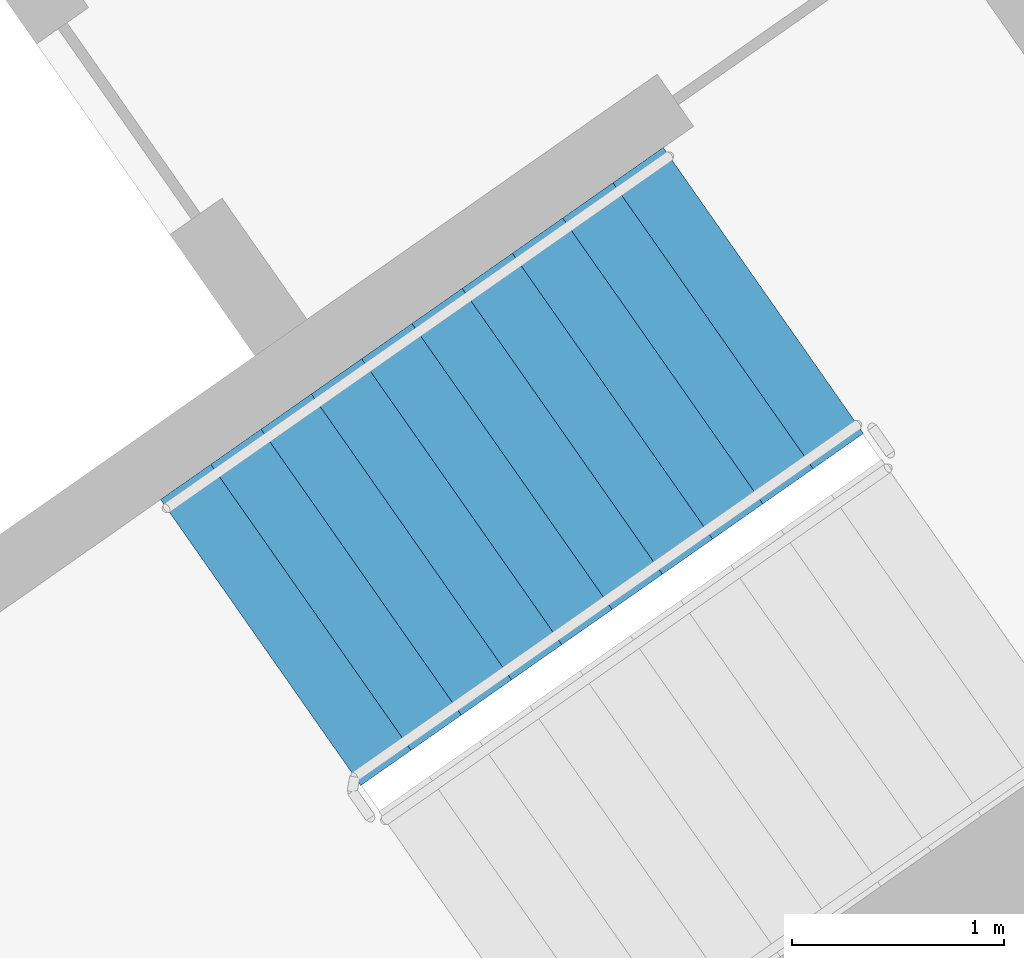
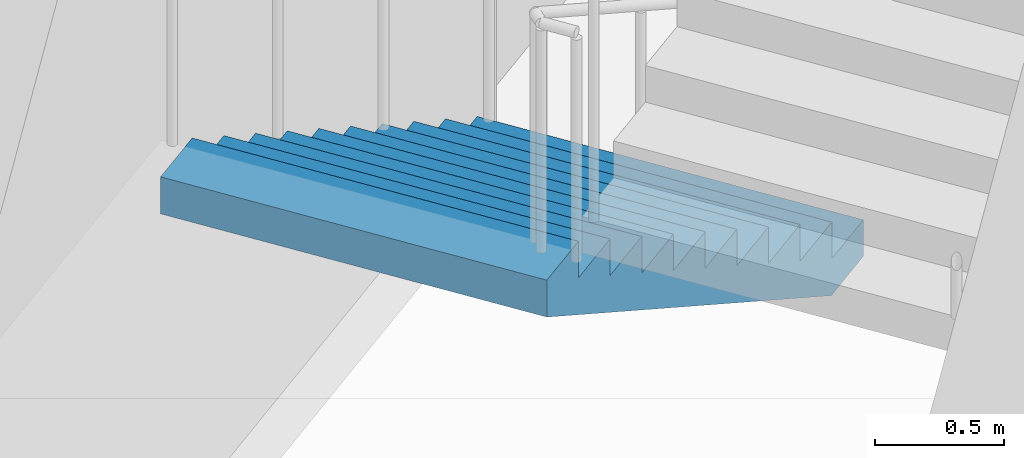
# One storey, part 16 of 29: 1 stair flight, 1 element without a shape of its own.
"""IFC4 building model written with IfcOpenShell, lengths in metres."""

from ifc_helpers import new_model, si_unit, direction, frame, origin, place, context, subcontext, project, spatial, faceted_brep, material, type_object, element, aggregate, save


model = new_model("IFC4")

# Units and contexts
model_context = context("Model", 3, precision=1e-05, world=origin(), true_north=direction((0.0, 1.0)))
body_context = subcontext(model_context, "Body", "Model", "MODEL_VIEW")
ifc_project = project(units=[si_unit("LENGTHUNIT", "METRE"), si_unit("AREAUNIT", "SQUARE_METRE"), si_unit("VOLUMEUNIT", "CUBIC_METRE"), si_unit("PLANEANGLEUNIT", "RADIAN"), si_unit("MASSUNIT", "GRAM", prefix="KILO")], contexts=[model_context])

# Site, building, storey
site_placement = place(None, origin())
site = spatial("IfcSite", under=ifc_project, at=site_placement, CompositionType="ELEMENT")
building_placement = place(site_placement, origin())
building = spatial("IfcBuilding", under=site, at=building_placement, Name="Qamariyya Broadcast Tower", CompositionType="ELEMENT")
storey_placement = place(building_placement, frame((0.0, 0.0, 121.5)))
storey = spatial("IfcBuildingStorey", under=building, at=storey_placement, Name="L27", CompositionType="ELEMENT", Elevation=121.5)

# Stair, stair flight
ifc_material = material(Name="Concrete C50/60", Category="concrete")
stair_type = type_object("IfcStairType", Name="Exit stair 22 risers of 173 mm", PredefinedType="HALF_TURN_STAIR", material=ifc_material)
stair_placement = place(storey_placement, origin())
stair = element("IfcStair", 1, at=stair_placement, inside=storey, type_object=stair_type, Name="L27 Stair E1", PredefinedType="HALF_TURN_STAIR")
stair_flight_type = type_object("IfcStairFlightType", Name="Exit stair flight 11 risers of 173 mm", PredefinedType="STRAIGHT", material=ifc_material)
stair_flight_placement = place(storey_placement, frame((46.036376953125, -55.508056640625, 0.0), z_axis=(0.0, 0.0, 1.0), x_axis=(-0.819152044289, -0.573576436351, 0.0)))
stair_flight = element("IfcStairFlight", 2, at=stair_flight_placement, type_object=stair_flight_type, Name="ST-E1 flight 1", NumberOfRisers=11, NumberOfTreads=10, PredefinedType="STRAIGHT", RiserHeight=0.172727273, TreadLength=0.29, context=body_context, shape_type="Brep", body=[
    faceted_brep([(0.0, 0.824951171875, 0.0), (0.0, 0.824951171875, 0.172607421875), (0.2900390625, 0.824951171875, 0.172607421875), (0.2900390625, 0.824951171875, 0.345458984375), (0.580078125, 0.824951171875, 0.345458984375), (0.580078125, 0.824951171875, 0.51806640625), (0.8701171875, 0.824951171875, 0.51806640625), (0.8701171875, 0.824951171875, 0.69091796875), (1.159912109375, 0.824951171875, 0.69091796875), (1.159912109375, 0.824951171875, 0.863525390625), (1.449951171875, 0.824951171875, 0.863525390625), (1.449951171875, 0.824951171875, 1.036376953125), (1.739990234375, 0.824951171875, 1.036376953125), (1.739990234375, 0.824951171875, 1.208984375), (2.030029296875, 0.824951171875, 1.208984375), (2.030029296875, 0.824951171875, 1.3818359375), (2.320068359375, 0.824951171875, 1.3818359375), (2.320068359375, 0.824951171875, 1.554443359375), (2.610107421875, 0.824951171875, 1.554443359375), (2.610107421875, 0.824951171875, 1.727294921875), (2.89990234375, 0.824951171875, 1.727294921875), (2.89990234375, 0.824951171875, 1.552734375), (0.29296875, 0.824951171875, 0.0), (0.29296875, -0.824951171875, 0.0), (2.89990234375, -0.824951171875, 1.552734375), (2.89990234375, -0.824951171875, 1.727294921875), (2.610107421875, -0.824951171875, 1.727294921875), (2.610107421875, -0.824951171875, 1.554443359375), (2.320068359375, -0.824951171875, 1.554443359375), (2.320068359375, -0.824951171875, 1.3818359375), (2.030029296875, -0.824951171875, 1.3818359375), (2.030029296875, -0.824951171875, 1.208984375), (1.739990234375, -0.824951171875, 1.208984375), (1.739990234375, -0.824951171875, 1.036376953125), (1.449951171875, -0.824951171875, 1.036376953125), (1.449951171875, -0.824951171875, 0.863525390625), (1.159912109375, -0.824951171875, 0.863525390625), (1.159912109375, -0.824951171875, 0.69091796875), (0.8701171875, -0.824951171875, 0.69091796875), (0.8701171875, -0.824951171875, 0.51806640625), (0.580078125, -0.824951171875, 0.51806640625), (0.580078125, -0.824951171875, 0.345458984375), (0.2900390625, -0.824951171875, 0.345458984375), (0.2900390625, -0.824951171875, 0.172607421875), (0.0, -0.824951171875, 0.172607421875), (0.0, -0.824951171875, 0.0), (0.0, 0.10009765625, 0.0), (0.0, 0.086669921875, 0.0), (0.0, 0.0732421875, 0.0), (0.0, 0.06005859375, 0.0), (0.0, 0.046630859375, 0.0), (0.0, 0.033447265625, 0.0), (0.0, 0.02001953125, 0.0), (0.0, 0.006591796875, 0.0), (0.0, -0.006591796875, 0.0), (0.0, -0.02001953125, 0.0), (0.0, -0.033447265625, 0.0), (0.0, -0.046630859375, 0.0), (0.0, -0.06005859375, 0.0), (0.0, -0.0732421875, 0.0), (0.0, -0.086669921875, 0.0), (0.0, -0.10009765625, 0.0), (0.0, -0.10009765625, 0.172607421875), (0.0, -0.086669921875, 0.172607421875), (0.0, -0.0732421875, 0.172607421875), (0.0, -0.06005859375, 0.172607421875), (0.0, -0.046630859375, 0.172607421875), (0.0, -0.033447265625, 0.172607421875), (0.0, -0.02001953125, 0.172607421875), (0.0, -0.006591796875, 0.172607421875), (0.0, 0.006591796875, 0.172607421875), (0.0, 0.02001953125, 0.172607421875), (0.0, 0.033447265625, 0.172607421875), (0.0, 0.046630859375, 0.172607421875), (0.0, 0.06005859375, 0.172607421875), (0.0, 0.0732421875, 0.172607421875), (0.0, 0.086669921875, 0.172607421875), (0.0, 0.10009765625, 0.172607421875), (0.2900390625, -0.10009765625, 0.172607421875), (0.2900390625, -0.086669921875, 0.172607421875), (0.2900390625, -0.0732421875, 0.172607421875), (0.2900390625, -0.06005859375, 0.172607421875), (0.2900390625, -0.046630859375, 0.172607421875), (0.2900390625, -0.033447265625, 0.172607421875), (0.2900390625, -0.02001953125, 0.172607421875), (0.2900390625, -0.006591796875, 0.172607421875), (0.2900390625, 0.006591796875, 0.172607421875), (0.2900390625, 0.02001953125, 0.172607421875), (0.2900390625, 0.033447265625, 0.172607421875), (0.2900390625, 0.046630859375, 0.172607421875), (0.2900390625, 0.06005859375, 0.172607421875), (0.2900390625, 0.0732421875, 0.172607421875), (0.2900390625, 0.086669921875, 0.172607421875), (0.2900390625, 0.10009765625, 0.172607421875), (0.2900390625, -0.10009765625, 0.345458984375), (0.2900390625, -0.086669921875, 0.345458984375), (0.2900390625, -0.0732421875, 0.345458984375), (0.2900390625, -0.06005859375, 0.345458984375), (0.2900390625, -0.046630859375, 0.345458984375), (0.2900390625, -0.033447265625, 0.345458984375), (0.2900390625, -0.02001953125, 0.345458984375), (0.2900390625, -0.006591796875, 0.345458984375), (0.2900390625, 0.006591796875, 0.345458984375), (0.2900390625, 0.02001953125, 0.345458984375), (0.2900390625, 0.033447265625, 0.345458984375), (0.2900390625, 0.046630859375, 0.345458984375), (0.2900390625, 0.06005859375, 0.345458984375), (0.2900390625, 0.0732421875, 0.345458984375), (0.2900390625, 0.086669921875, 0.345458984375), (0.2900390625, 0.10009765625, 0.345458984375), (0.580078125, -0.10009765625, 0.345458984375), (0.580078125, -0.086669921875, 0.345458984375), (0.580078125, -0.0732421875, 0.345458984375), (0.580078125, -0.06005859375, 0.345458984375), (0.580078125, -0.046630859375, 0.345458984375), (0.580078125, -0.033447265625, 0.345458984375), (0.580078125, -0.02001953125, 0.345458984375), (0.580078125, -0.006591796875, 0.345458984375), (0.580078125, 0.006591796875, 0.345458984375), (0.580078125, 0.02001953125, 0.345458984375), (0.580078125, 0.033447265625, 0.345458984375), (0.580078125, 0.046630859375, 0.345458984375), (0.580078125, 0.06005859375, 0.345458984375), (0.580078125, 0.0732421875, 0.345458984375), (0.580078125, 0.086669921875, 0.345458984375), (0.580078125, 0.10009765625, 0.345458984375), (0.580078125, -0.10009765625, 0.51806640625), (0.580078125, -0.086669921875, 0.51806640625), (0.580078125, -0.0732421875, 0.51806640625), (0.580078125, -0.06005859375, 0.51806640625), (0.580078125, -0.046630859375, 0.51806640625), (0.580078125, -0.033447265625, 0.51806640625), (0.580078125, -0.02001953125, 0.51806640625), (0.580078125, -0.006591796875, 0.51806640625), (0.580078125, 0.006591796875, 0.51806640625), (0.580078125, 0.02001953125, 0.51806640625), (0.580078125, 0.033447265625, 0.51806640625), (0.580078125, 0.046630859375, 0.51806640625), (0.580078125, 0.06005859375, 0.51806640625), (0.580078125, 0.0732421875, 0.51806640625), (0.580078125, 0.086669921875, 0.51806640625), (0.580078125, 0.10009765625, 0.51806640625), (0.8701171875, -0.10009765625, 0.51806640625), (0.8701171875, -0.086669921875, 0.51806640625), (0.8701171875, -0.0732421875, 0.51806640625), (0.8701171875, -0.06005859375, 0.51806640625), (0.8701171875, -0.046630859375, 0.51806640625), (0.8701171875, -0.033447265625, 0.51806640625), (0.8701171875, -0.02001953125, 0.51806640625), (0.8701171875, -0.006591796875, 0.51806640625), (0.8701171875, 0.006591796875, 0.51806640625), (0.8701171875, 0.02001953125, 0.51806640625), (0.8701171875, 0.033447265625, 0.51806640625), (0.8701171875, 0.046630859375, 0.51806640625), (0.8701171875, 0.06005859375, 0.51806640625), (0.8701171875, 0.0732421875, 0.51806640625), (0.8701171875, 0.086669921875, 0.51806640625), (0.8701171875, 0.10009765625, 0.51806640625), (0.8701171875, -0.10009765625, 0.69091796875), (0.8701171875, -0.086669921875, 0.69091796875), (0.8701171875, -0.0732421875, 0.69091796875), (0.8701171875, -0.06005859375, 0.69091796875), (0.8701171875, -0.046630859375, 0.69091796875), (0.8701171875, -0.033447265625, 0.69091796875), (0.8701171875, -0.02001953125, 0.69091796875), (0.8701171875, -0.006591796875, 0.69091796875), (0.8701171875, 0.006591796875, 0.69091796875), (0.8701171875, 0.02001953125, 0.69091796875), (0.8701171875, 0.033447265625, 0.69091796875), (0.8701171875, 0.046630859375, 0.69091796875), (0.8701171875, 0.06005859375, 0.69091796875), (0.8701171875, 0.0732421875, 0.69091796875), (0.8701171875, 0.086669921875, 0.69091796875), (0.8701171875, 0.10009765625, 0.69091796875), (1.159912109375, -0.10009765625, 0.69091796875), (1.159912109375, -0.086669921875, 0.69091796875), (1.159912109375, -0.0732421875, 0.69091796875), (1.159912109375, -0.06005859375, 0.69091796875), (1.159912109375, -0.046630859375, 0.69091796875), (1.159912109375, -0.033447265625, 0.69091796875), (1.159912109375, -0.02001953125, 0.69091796875), (1.159912109375, -0.006591796875, 0.69091796875), (1.159912109375, 0.006591796875, 0.69091796875), (1.159912109375, 0.02001953125, 0.69091796875), (1.159912109375, 0.033447265625, 0.69091796875), (1.159912109375, 0.046630859375, 0.69091796875), (1.159912109375, 0.06005859375, 0.69091796875), (1.159912109375, 0.0732421875, 0.69091796875), (1.159912109375, 0.086669921875, 0.69091796875), (1.159912109375, 0.10009765625, 0.69091796875), (1.159912109375, -0.10009765625, 0.863525390625), (1.159912109375, -0.086669921875, 0.863525390625), (1.159912109375, -0.0732421875, 0.863525390625), (1.159912109375, -0.06005859375, 0.863525390625), (1.159912109375, -0.046630859375, 0.863525390625), (1.159912109375, -0.033447265625, 0.863525390625), (1.159912109375, -0.02001953125, 0.863525390625), (1.159912109375, -0.006591796875, 0.863525390625), (1.159912109375, 0.006591796875, 0.863525390625), (1.159912109375, 0.02001953125, 0.863525390625), (1.159912109375, 0.033447265625, 0.863525390625), (1.159912109375, 0.046630859375, 0.863525390625), (1.159912109375, 0.06005859375, 0.863525390625), (1.159912109375, 0.0732421875, 0.863525390625), (1.159912109375, 0.086669921875, 0.863525390625), (1.159912109375, 0.10009765625, 0.863525390625), (1.449951171875, -0.10009765625, 0.863525390625), (1.449951171875, -0.086669921875, 0.863525390625), (1.449951171875, -0.0732421875, 0.863525390625), (1.449951171875, -0.06005859375, 0.863525390625), (1.449951171875, -0.046630859375, 0.863525390625), (1.449951171875, -0.033447265625, 0.863525390625), (1.449951171875, -0.02001953125, 0.863525390625), (1.449951171875, -0.006591796875, 0.863525390625), (1.449951171875, 0.006591796875, 0.863525390625), (1.449951171875, 0.02001953125, 0.863525390625), (1.449951171875, 0.033447265625, 0.863525390625), (1.449951171875, 0.046630859375, 0.863525390625), (1.449951171875, 0.06005859375, 0.863525390625), (1.449951171875, 0.0732421875, 0.863525390625), (1.449951171875, 0.086669921875, 0.863525390625), (1.449951171875, 0.10009765625, 0.863525390625), (1.449951171875, -0.10009765625, 1.036376953125), (1.449951171875, -0.086669921875, 1.036376953125), (1.449951171875, -0.0732421875, 1.036376953125), (1.449951171875, -0.06005859375, 1.036376953125), (1.449951171875, -0.046630859375, 1.036376953125), (1.449951171875, -0.033447265625, 1.036376953125), (1.449951171875, -0.02001953125, 1.036376953125), (1.449951171875, -0.006591796875, 1.036376953125), (1.449951171875, 0.006591796875, 1.036376953125), (1.449951171875, 0.02001953125, 1.036376953125), (1.449951171875, 0.033447265625, 1.036376953125), (1.449951171875, 0.046630859375, 1.036376953125), (1.449951171875, 0.06005859375, 1.036376953125), (1.449951171875, 0.0732421875, 1.036376953125), (1.449951171875, 0.086669921875, 1.036376953125), (1.449951171875, 0.10009765625, 1.036376953125), (1.739990234375, -0.10009765625, 1.036376953125), (1.739990234375, -0.086669921875, 1.036376953125), (1.739990234375, -0.0732421875, 1.036376953125), (1.739990234375, -0.06005859375, 1.036376953125), (1.739990234375, -0.046630859375, 1.036376953125), (1.739990234375, -0.033447265625, 1.036376953125), (1.739990234375, -0.02001953125, 1.036376953125), (1.739990234375, -0.006591796875, 1.036376953125), (1.739990234375, 0.006591796875, 1.036376953125), (1.739990234375, 0.02001953125, 1.036376953125), (1.739990234375, 0.033447265625, 1.036376953125), (1.739990234375, 0.046630859375, 1.036376953125), (1.739990234375, 0.06005859375, 1.036376953125), (1.739990234375, 0.0732421875, 1.036376953125), (1.739990234375, 0.086669921875, 1.036376953125), (1.739990234375, 0.10009765625, 1.036376953125), (1.739990234375, -0.10009765625, 1.208984375), (1.739990234375, -0.086669921875, 1.208984375), (1.739990234375, -0.0732421875, 1.208984375), (1.739990234375, -0.06005859375, 1.208984375), (1.739990234375, -0.046630859375, 1.208984375), (1.739990234375, -0.033447265625, 1.208984375), (1.739990234375, -0.02001953125, 1.208984375), (1.739990234375, -0.006591796875, 1.208984375), (1.739990234375, 0.006591796875, 1.208984375), (1.739990234375, 0.02001953125, 1.208984375), (1.739990234375, 0.033447265625, 1.208984375), (1.739990234375, 0.046630859375, 1.208984375), (1.739990234375, 0.06005859375, 1.208984375), (1.739990234375, 0.0732421875, 1.208984375), (1.739990234375, 0.086669921875, 1.208984375), (1.739990234375, 0.10009765625, 1.208984375), (2.030029296875, -0.10009765625, 1.208984375), (2.030029296875, -0.086669921875, 1.208984375), (2.030029296875, -0.0732421875, 1.208984375), (2.030029296875, -0.06005859375, 1.208984375), (2.030029296875, -0.046630859375, 1.208984375), (2.030029296875, -0.033447265625, 1.208984375), (2.030029296875, -0.02001953125, 1.208984375), (2.030029296875, -0.006591796875, 1.208984375), (2.030029296875, 0.006591796875, 1.208984375), (2.030029296875, 0.02001953125, 1.208984375), (2.030029296875, 0.033447265625, 1.208984375), (2.030029296875, 0.046630859375, 1.208984375), (2.030029296875, 0.06005859375, 1.208984375), (2.030029296875, 0.0732421875, 1.208984375), (2.030029296875, 0.086669921875, 1.208984375), (2.030029296875, 0.10009765625, 1.208984375), (2.030029296875, -0.10009765625, 1.3818359375), (2.030029296875, -0.086669921875, 1.3818359375), (2.030029296875, -0.0732421875, 1.3818359375), (2.030029296875, -0.06005859375, 1.3818359375), (2.030029296875, -0.046630859375, 1.3818359375), (2.030029296875, -0.033447265625, 1.3818359375), (2.030029296875, -0.02001953125, 1.3818359375), (2.030029296875, -0.006591796875, 1.3818359375), (2.030029296875, 0.006591796875, 1.3818359375), (2.030029296875, 0.02001953125, 1.3818359375), (2.030029296875, 0.033447265625, 1.3818359375), (2.030029296875, 0.046630859375, 1.3818359375), (2.030029296875, 0.06005859375, 1.3818359375), (2.030029296875, 0.0732421875, 1.3818359375), (2.030029296875, 0.086669921875, 1.3818359375), (2.030029296875, 0.10009765625, 1.3818359375), (2.320068359375, -0.10009765625, 1.3818359375), (2.320068359375, -0.086669921875, 1.3818359375), (2.320068359375, -0.0732421875, 1.3818359375), (2.320068359375, -0.06005859375, 1.3818359375), (2.320068359375, -0.046630859375, 1.3818359375), (2.320068359375, -0.033447265625, 1.3818359375), (2.320068359375, -0.02001953125, 1.3818359375), (2.320068359375, -0.006591796875, 1.3818359375), (2.320068359375, 0.006591796875, 1.3818359375), (2.320068359375, 0.02001953125, 1.3818359375), (2.320068359375, 0.033447265625, 1.3818359375), (2.320068359375, 0.046630859375, 1.3818359375), (2.320068359375, 0.06005859375, 1.3818359375), (2.320068359375, 0.0732421875, 1.3818359375), (2.320068359375, 0.086669921875, 1.3818359375), (2.320068359375, 0.10009765625, 1.3818359375), (2.320068359375, -0.10009765625, 1.554443359375), (2.320068359375, -0.086669921875, 1.554443359375), (2.320068359375, -0.0732421875, 1.554443359375), (2.320068359375, -0.06005859375, 1.554443359375), (2.320068359375, -0.046630859375, 1.554443359375), (2.320068359375, -0.033447265625, 1.554443359375), (2.320068359375, -0.02001953125, 1.554443359375), (2.320068359375, -0.006591796875, 1.554443359375), (2.320068359375, 0.006591796875, 1.554443359375), (2.320068359375, 0.02001953125, 1.554443359375), (2.320068359375, 0.033447265625, 1.554443359375), (2.320068359375, 0.046630859375, 1.554443359375), (2.320068359375, 0.06005859375, 1.554443359375), (2.320068359375, 0.0732421875, 1.554443359375), (2.320068359375, 0.086669921875, 1.554443359375), (2.320068359375, 0.10009765625, 1.554443359375), (2.610107421875, -0.10009765625, 1.554443359375), (2.610107421875, -0.086669921875, 1.554443359375), (2.610107421875, -0.0732421875, 1.554443359375), (2.610107421875, -0.06005859375, 1.554443359375), (2.610107421875, -0.046630859375, 1.554443359375), (2.610107421875, -0.033447265625, 1.554443359375), (2.610107421875, -0.02001953125, 1.554443359375), (2.610107421875, -0.006591796875, 1.554443359375), (2.610107421875, 0.006591796875, 1.554443359375), (2.610107421875, 0.02001953125, 1.554443359375), (2.610107421875, 0.033447265625, 1.554443359375), (2.610107421875, 0.046630859375, 1.554443359375), (2.610107421875, 0.06005859375, 1.554443359375), (2.610107421875, 0.0732421875, 1.554443359375), (2.610107421875, 0.086669921875, 1.554443359375), (2.610107421875, 0.10009765625, 1.554443359375), (2.610107421875, -0.10009765625, 1.727294921875), (2.610107421875, -0.086669921875, 1.727294921875), (2.610107421875, -0.0732421875, 1.727294921875), (2.610107421875, -0.06005859375, 1.727294921875), (2.610107421875, -0.046630859375, 1.727294921875), (2.610107421875, -0.033447265625, 1.727294921875), (2.610107421875, -0.02001953125, 1.727294921875), (2.610107421875, -0.006591796875, 1.727294921875), (2.610107421875, 0.006591796875, 1.727294921875), (2.610107421875, 0.02001953125, 1.727294921875), (2.610107421875, 0.033447265625, 1.727294921875), (2.610107421875, 0.046630859375, 1.727294921875), (2.610107421875, 0.06005859375, 1.727294921875), (2.610107421875, 0.0732421875, 1.727294921875), (2.610107421875, 0.086669921875, 1.727294921875), (2.610107421875, 0.10009765625, 1.727294921875), (2.89990234375, -0.10009765625, 1.727294921875), (2.89990234375, -0.086669921875, 1.727294921875), (2.89990234375, -0.0732421875, 1.727294921875), (2.89990234375, -0.06005859375, 1.727294921875), (2.89990234375, -0.046630859375, 1.727294921875), (2.89990234375, -0.033447265625, 1.727294921875), (2.89990234375, -0.02001953125, 1.727294921875), (2.89990234375, -0.006591796875, 1.727294921875), (2.89990234375, 0.006591796875, 1.727294921875), (2.89990234375, 0.02001953125, 1.727294921875), (2.89990234375, 0.033447265625, 1.727294921875), (2.89990234375, 0.046630859375, 1.727294921875), (2.89990234375, 0.06005859375, 1.727294921875), (2.89990234375, 0.0732421875, 1.727294921875), (2.89990234375, 0.086669921875, 1.727294921875), (2.89990234375, 0.10009765625, 1.727294921875), (2.89990234375, -0.10009765625, 1.552734375), (2.89990234375, -0.086669921875, 1.552734375), (2.89990234375, -0.0732421875, 1.552734375), (2.89990234375, -0.06005859375, 1.552734375), (2.89990234375, -0.046630859375, 1.552734375), (2.89990234375, -0.033447265625, 1.552734375), (2.89990234375, -0.02001953125, 1.552734375), (2.89990234375, -0.006591796875, 1.552734375), (2.89990234375, 0.006591796875, 1.552734375), (2.89990234375, 0.02001953125, 1.552734375), (2.89990234375, 0.033447265625, 1.552734375), (2.89990234375, 0.046630859375, 1.552734375), (2.89990234375, 0.06005859375, 1.552734375), (2.89990234375, 0.0732421875, 1.552734375), (2.89990234375, 0.086669921875, 1.552734375), (2.89990234375, 0.10009765625, 1.552734375), (0.29296875, -0.10009765625, 0.0), (0.29296875, -0.086669921875, 0.0), (0.29296875, -0.0732421875, 0.0), (0.29296875, -0.06005859375, 0.0), (0.29296875, -0.046630859375, 0.0), (0.29296875, -0.033447265625, 0.0), (0.29296875, -0.02001953125, 0.0), (0.29296875, -0.006591796875, 0.0), (0.29296875, 0.006591796875, 0.0), (0.29296875, 0.02001953125, 0.0), (0.29296875, 0.033447265625, 0.0), (0.29296875, 0.046630859375, 0.0), (0.29296875, 0.06005859375, 0.0), (0.29296875, 0.0732421875, 0.0), (0.29296875, 0.086669921875, 0.0), (0.29296875, 0.10009765625, 0.0)], [[[0, 1, 2, 3, 4, 5, 6, 7, 8, 9, 10, 11, 12, 13, 14, 15, 16, 17, 18, 19, 20, 21, 22]], [[23, 24, 25, 26, 27, 28, 29, 30, 31, 32, 33, 34, 35, 36, 37, 38, 39, 40, 41, 42, 43, 44, 45]], [[0, 46, 47, 48, 49, 50, 51, 52, 53, 54, 55, 56, 57, 58, 59, 60, 61, 45, 44, 62, 63, 64, 65, 66, 67, 68, 69, 70, 71, 72, 73, 74, 75, 76, 77, 1]], [[1, 77, 76, 75, 74, 73, 72, 71, 70, 69, 68, 67, 66, 65, 64, 63, 62, 44, 43, 78, 79, 80, 81, 82, 83, 84, 85, 86, 87, 88, 89, 90, 91, 92, 93, 2]], [[2, 93, 92, 91, 90, 89, 88, 87, 86, 85, 84, 83, 82, 81, 80, 79, 78, 43, 42, 94, 95, 96, 97, 98, 99, 100, 101, 102, 103, 104, 105, 106, 107, 108, 109, 3]], [[3, 109, 108, 107, 106, 105, 104, 103, 102, 101, 100, 99, 98, 97, 96, 95, 94, 42, 41, 110, 111, 112, 113, 114, 115, 116, 117, 118, 119, 120, 121, 122, 123, 124, 125, 4]], [[4, 125, 124, 123, 122, 121, 120, 119, 118, 117, 116, 115, 114, 113, 112, 111, 110, 41, 40, 126, 127, 128, 129, 130, 131, 132, 133, 134, 135, 136, 137, 138, 139, 140, 141, 5]], [[5, 141, 140, 139, 138, 137, 136, 135, 134, 133, 132, 131, 130, 129, 128, 127, 126, 40, 39, 142, 143, 144, 145, 146, 147, 148, 149, 150, 151, 152, 153, 154, 155, 156, 157, 6]], [[6, 157, 156, 155, 154, 153, 152, 151, 150, 149, 148, 147, 146, 145, 144, 143, 142, 39, 38, 158, 159, 160, 161, 162, 163, 164, 165, 166, 167, 168, 169, 170, 171, 172, 173, 7]], [[7, 173, 172, 171, 170, 169, 168, 167, 166, 165, 164, 163, 162, 161, 160, 159, 158, 38, 37, 174, 175, 176, 177, 178, 179, 180, 181, 182, 183, 184, 185, 186, 187, 188, 189, 8]], [[8, 189, 188, 187, 186, 185, 184, 183, 182, 181, 180, 179, 178, 177, 176, 175, 174, 37, 36, 190, 191, 192, 193, 194, 195, 196, 197, 198, 199, 200, 201, 202, 203, 204, 205, 9]], [[9, 205, 204, 203, 202, 201, 200, 199, 198, 197, 196, 195, 194, 193, 192, 191, 190, 36, 35, 206, 207, 208, 209, 210, 211, 212, 213, 214, 215, 216, 217, 218, 219, 220, 221, 10]], [[10, 221, 220, 219, 218, 217, 216, 215, 214, 213, 212, 211, 210, 209, 208, 207, 206, 35, 34, 222, 223, 224, 225, 226, 227, 228, 229, 230, 231, 232, 233, 234, 235, 236, 237, 11]], [[11, 237, 236, 235, 234, 233, 232, 231, 230, 229, 228, 227, 226, 225, 224, 223, 222, 34, 33, 238, 239, 240, 241, 242, 243, 244, 245, 246, 247, 248, 249, 250, 251, 252, 253, 12]], [[12, 253, 252, 251, 250, 249, 248, 247, 246, 245, 244, 243, 242, 241, 240, 239, 238, 33, 32, 254, 255, 256, 257, 258, 259, 260, 261, 262, 263, 264, 265, 266, 267, 268, 269, 13]], [[13, 269, 268, 267, 266, 265, 264, 263, 262, 261, 260, 259, 258, 257, 256, 255, 254, 32, 31, 270, 271, 272, 273, 274, 275, 276, 277, 278, 279, 280, 281, 282, 283, 284, 285, 14]], [[14, 285, 284, 283, 282, 281, 280, 279, 278, 277, 276, 275, 274, 273, 272, 271, 270, 31, 30, 286, 287, 288, 289, 290, 291, 292, 293, 294, 295, 296, 297, 298, 299, 300, 301, 15]], [[15, 301, 300, 299, 298, 297, 296, 295, 294, 293, 292, 291, 290, 289, 288, 287, 286, 30, 29, 302, 303, 304, 305, 306, 307, 308, 309, 310, 311, 312, 313, 314, 315, 316, 317, 16]], [[16, 317, 316, 315, 314, 313, 312, 311, 310, 309, 308, 307, 306, 305, 304, 303, 302, 29, 28, 318, 319, 320, 321, 322, 323, 324, 325, 326, 327, 328, 329, 330, 331, 332, 333, 17]], [[17, 333, 332, 331, 330, 329, 328, 327, 326, 325, 324, 323, 322, 321, 320, 319, 318, 28, 27, 334, 335, 336, 337, 338, 339, 340, 341, 342, 343, 344, 345, 346, 347, 348, 349, 18]], [[18, 349, 348, 347, 346, 345, 344, 343, 342, 341, 340, 339, 338, 337, 336, 335, 334, 27, 26, 350, 351, 352, 353, 354, 355, 356, 357, 358, 359, 360, 361, 362, 363, 364, 365, 19]], [[19, 365, 364, 363, 362, 361, 360, 359, 358, 357, 356, 355, 354, 353, 352, 351, 350, 26, 25, 366, 367, 368, 369, 370, 371, 372, 373, 374, 375, 376, 377, 378, 379, 380, 381, 20]], [[20, 381, 380, 379, 378, 377, 376, 375, 374, 373, 372, 371, 370, 369, 368, 367, 366, 25, 24, 382, 383, 384, 385, 386, 387, 388, 389, 390, 391, 392, 393, 394, 395, 396, 397, 21]], [[21, 397, 396, 395, 394, 393, 392, 391, 390, 389, 388, 387, 386, 385, 384, 383, 382, 24, 23, 398, 399, 400, 401, 402, 403, 404, 405, 406, 407, 408, 409, 410, 411, 412, 413, 22]], [[22, 413, 412, 411, 410, 409, 408, 407, 406, 405, 404, 403, 402, 401, 400, 399, 398, 23, 45, 61, 60, 59, 58, 57, 56, 55, 54, 53, 52, 51, 50, 49, 48, 47, 46, 0]]]),
])
aggregate(stair, [stair_flight])

save(model, "model.ifc")
